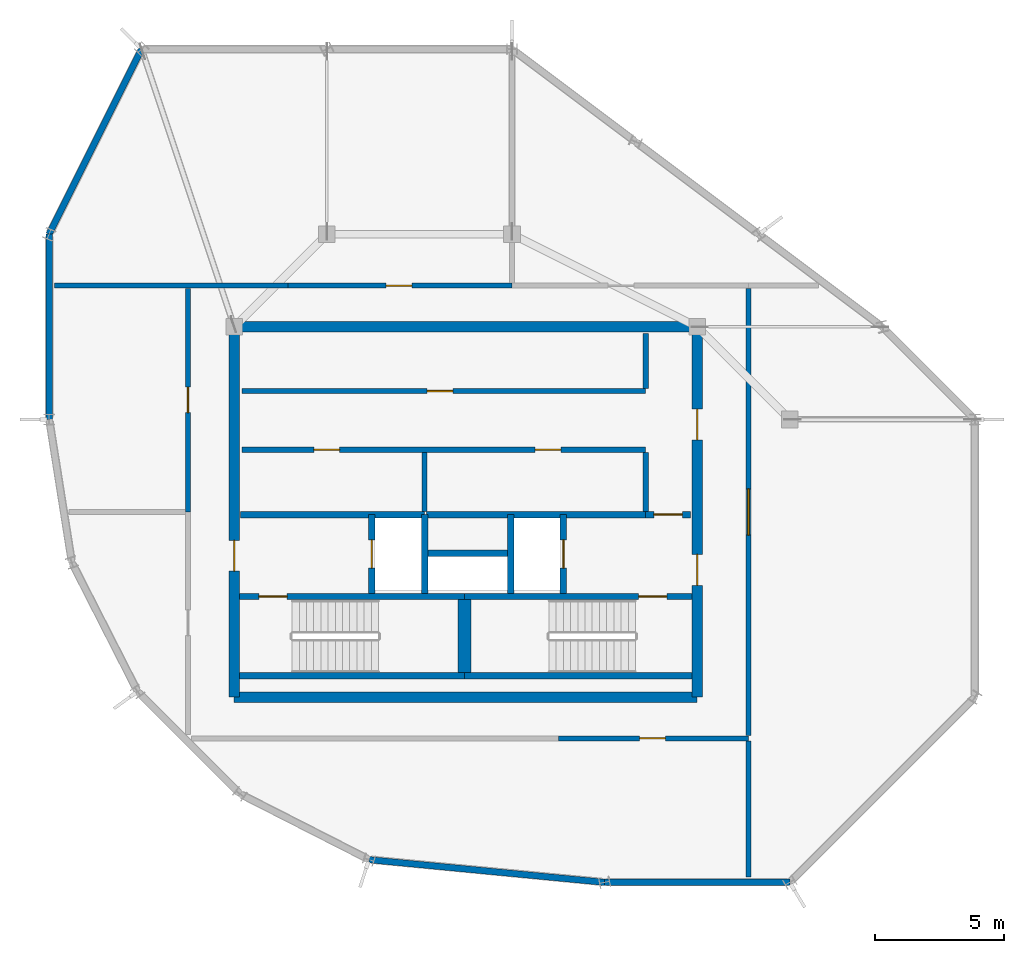
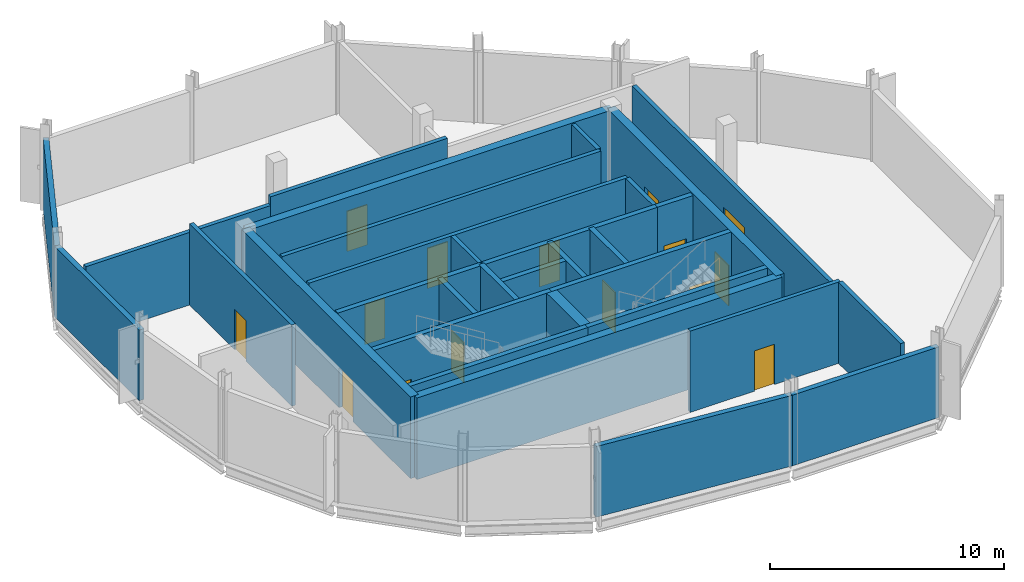
# One storey, part 2 of 5: 32 walls, 15 doors, 15 openings.
"""IFC4 building model written with IfcOpenShell, lengths in metres."""

from ifc_helpers import new_model, si_unit, direction, frame, frame_2d, origin, place, context, subcontext, project, spatial, rectangle, extrude, material, layer, layer_set, type_object, element, fill, save


model = new_model("IFC4")

# Units and contexts
model_context = context("Model", 3, precision=1e-05, world=origin(), true_north=direction((0.0, 1.0)))
body_context = subcontext(model_context, "Body", "Model", "MODEL_VIEW")
ifc_project = project(units=[si_unit("LENGTHUNIT", "METRE"), si_unit("AREAUNIT", "SQUARE_METRE"), si_unit("VOLUMEUNIT", "CUBIC_METRE"), si_unit("PLANEANGLEUNIT", "RADIAN"), si_unit("MASSUNIT", "GRAM", prefix="KILO")], contexts=[model_context])

# Site, building, storey
site_placement = place(None, origin())
site = spatial("IfcSite", under=ifc_project, at=site_placement, CompositionType="ELEMENT")
building_placement = place(site_placement, origin())
building = spatial("IfcBuilding", under=site, at=building_placement, Name="Solnavia Interchange Tower", CompositionType="ELEMENT")
storey_placement = place(building_placement, frame((0.0, 0.0, 313.199951171875)))
storey = spatial("IfcBuildingStorey", under=building, at=storey_placement, Name="C03", CompositionType="ELEMENT", Elevation=313.199951171875)

# Walls
ifc_material_1 = material(Name="Concrete C40/50", Category="concrete")
ifc_layer_1 = layer(ifc_material_1, 0.25)
ifc_layer_set_1 = layer_set([ifc_layer_1], Name="Concrete C40/50")
wall_type_1 = type_object("IfcWallType", Name="Wall-ExtSpandrel-250", PredefinedType="STANDARD", material=ifc_layer_set_1)
wall_1_placement = place(storey_placement, frame((10.800048828125, 36.0, 0.0), z_axis=(0.0, 0.0, 1.0), x_axis=(-0.447225726904, -0.894421125195, 0.0)))
element("IfcWall", 1, at=wall_1_placement, inside=storey, type_object=wall_type_1, Name="EXW-C03-R07 Crown ring facade panel", PredefinedType="STANDARD", context=body_context, shape_type="SweptSolid", body=[
    extrude(rectangle(XDim=8.0498046875, YDim=0.25, at=frame_2d((4.02490234375, 0.0))), origin(), (0.0, 0.0, 1.0), 3.679931640625),
])
wall_2_placement = place(storey_placement, frame((7.199951171875, 28.800048828125, 0.0), z_axis=(0.0, 0.0, 1.0), x_axis=(0.0, -1.0, 0.0)))
element("IfcWall", 2, at=wall_2_placement, inside=storey, type_object=wall_type_1, Name="EXW-C03-R08 Crown ring facade panel", PredefinedType="STANDARD", context=body_context, shape_type="SweptSolid", body=[
    extrude(rectangle(XDim=7.199951171875, YDim=0.25, at=frame_2d((3.60009765625, 0.0))), origin(), (0.0, 0.0, 1.0), 3.679931640625),
])
wall_3_placement = place(storey_placement, frame((19.637939453125, 4.48095703125, 0.0), z_axis=(0.0, 0.0, 1.0), x_axis=(0.995410195364, -0.095700276723, 0.0)))
element("IfcWall", 3, at=wall_3_placement, inside=storey, type_object=wall_type_1, Name="EXW-C03-R13 Crown ring facade panel", PredefinedType="STANDARD", context=body_context, shape_type="SweptSolid", body=[
    extrude(rectangle(XDim=9.204345703125, YDim=0.25, at=frame_2d((4.60205078125, 0.0))), origin(), (0.0, 0.0, 1.0), 3.679931640625),
])
wall_4_placement = place(storey_placement, frame((28.800048828125, 3.60009765625, 0.0), z_axis=(0.0, 0.0, 1.0), x_axis=(1.0, 0.0, 0.0)))
element("IfcWall", 4, at=wall_4_placement, inside=storey, type_object=wall_type_1, Name="EXW-C03-R14 Crown ring facade panel", PredefinedType="STANDARD", context=body_context, shape_type="SweptSolid", body=[
    extrude(rectangle(XDim=7.199951171875, YDim=0.25, at=frame_2d((3.60009765625, 0.0))), origin(), (0.0, 0.0, 1.0), 3.679931640625),
])

# Wall, openings, doors
ifc_layer_2 = layer(ifc_material_1, 0.199951171875)
ifc_layer_set_2 = layer_set([ifc_layer_2], Name="Concrete C40/50")
wall_type_2 = type_object("IfcWallType", Name="Wall-PlantFire-200", PredefinedType="PARTITIONING", material=ifc_layer_set_2)
wall_5_placement = place(storey_placement, frame((14.699951171875, 20.419921875, 0.0), z_axis=(0.0, 0.0, 1.0), x_axis=(1.0, 0.0, 0.0)))
wall_5 = element("IfcWall", 5, at=wall_5_placement, inside=storey, type_object=wall_type_2, Name="CSW-C03-CR1 Core shaft wall", PredefinedType="PARTITIONING", context=body_context, shape_type="SweptSolid", body=[
    extrude(rectangle(XDim=15.699951171875, YDim=0.199951171875, at=frame_2d((7.85009765625, 0.0))), origin(), (0.0, 0.0, 1.0), 4.235107421875),
])
opening_1_placement = place(wall_5_placement, frame((2.800048828125, 0.0, 0.0)))
opening_1 = element("IfcOpeningElement", 6, at=opening_1_placement, cuts=wall_5, Name="Opening DR-04", PredefinedType="OPENING", context=body_context, shape_type="SweptSolid", body=[
    extrude(rectangle(XDim=1.0, YDim=2.10009765625, at=frame_2d((0.5, 1.050048828125))), frame((0.0, 0.10986328125, 0.0), z_axis=(0.0, -1.0, 0.0), x_axis=(1.0, 0.0, 0.0)), (0.0, 0.0, 1.0), 0.219970703125),
])
opening_2_placement = place(wall_5_placement, frame((11.39990234375, 0.0, 0.0)))
opening_2 = element("IfcOpeningElement", 7, at=opening_2_placement, cuts=wall_5, Name="Opening DR-04", PredefinedType="OPENING", context=body_context, shape_type="SweptSolid", body=[
    extrude(rectangle(XDim=1.0, YDim=2.10009765625, at=frame_2d((0.5, 1.050048828125))), frame((0.0, 0.10986328125, 0.0), z_axis=(0.0, -1.0, 0.0), x_axis=(1.0, 0.0, 0.0)), (0.0, 0.0, 1.0), 0.219970703125),
])
ifc_material_2 = material(Name="Steel Fire-Rated Plant Door", Category="steel")
door_type_1 = type_object("IfcDoorType", Name="Door-PlantFire-1000x2100", OperationType="SINGLE_SWING_LEFT", PredefinedType="DOOR", material=ifc_material_2)
door_1_placement = place(opening_1_placement, origin())
door_1 = element("IfcDoor", 8, at=door_1_placement, inside=storey, type_object=door_type_1, Name="DR-C03-CR1 Core fire door", OperationType="SINGLE_SWING_LEFT", OverallHeight=2.10009765625, OverallWidth=1.0, PredefinedType="DOOR", context=body_context, shape_type="SweptSolid", body=[
    extrude(rectangle(XDim=1.0, YDim=2.10009765625, at=frame_2d((0.5, 1.050048828125))), frame((0.0, 0.02490234375, 0.0), z_axis=(0.0, -1.0, 0.0), x_axis=(1.0, 0.0, 0.0)), (0.0, 0.0, 1.0), 0.050048828125),
])
fill(opening_1, door_1)
door_2_placement = place(opening_2_placement, origin())
door_2 = element("IfcDoor", 9, at=door_2_placement, inside=storey, type_object=door_type_1, Name="DR-C03-CR2 Core fire door", OperationType="SINGLE_SWING_RIGHT", OverallHeight=2.10009765625, OverallWidth=1.0, PredefinedType="DOOR", context=body_context, shape_type="SweptSolid", body=[
    extrude(rectangle(XDim=1.0, YDim=2.10009765625, at=frame_2d((0.5, 1.050048828125))), frame((0.0, 0.02490234375, 0.0), z_axis=(0.0, -1.0, 0.0), x_axis=(1.0, 0.0, 0.0)), (0.0, 0.0, 1.0), 0.050048828125),
])
fill(opening_2, door_2)

# Walls
for number, where, z_axis, x_axis, name in (
    (10, (30.39990234375, 18.02001953125, 0.0), (0.0, 0.0, 1.0), (0.0, 1.0, 0.0), "CSW-C03-CR2 Core shaft wall"),
    (11, (21.800048828125, 18.02001953125, 0.0), (0.0, 0.0, 1.0), (0.0, 1.0, 0.0), "CSW-C03-CR3 Core shaft wall"),
):
    element("IfcWall", number, at=place(storey_placement, frame(where, z_axis=z_axis, x_axis=x_axis)), inside=storey, type_object=wall_type_2, Name=name, PredefinedType="PARTITIONING", context=body_context, shape_type="SweptSolid", body=[
        extrude(rectangle(XDim=2.300048828125, YDim=0.199951171875, at=frame_2d((1.14990234375, 0.0))), origin(), (0.0, 0.0, 1.0), 4.235107421875),
    ])

# Wall, opening, door
wall_6_placement = place(storey_placement, frame((14.699951171875, 22.699951171875, 0.0), z_axis=(0.0, 0.0, 1.0), x_axis=(1.0, 0.0, 0.0)))
wall_6 = element("IfcWall", 12, at=wall_6_placement, inside=storey, type_object=wall_type_2, Name="CSW-C03-CR4 Core shaft wall", PredefinedType="PARTITIONING", context=body_context, shape_type="SweptSolid", body=[
    extrude(rectangle(XDim=15.699951171875, YDim=0.199951171875, at=frame_2d((7.85009765625, 0.0))), origin(), (0.0, 0.0, 1.0), 4.235107421875),
])
opening_3_placement = place(wall_6_placement, frame((7.199951171875, 0.0, 0.0)))
opening_3 = element("IfcOpeningElement", 13, at=opening_3_placement, cuts=wall_6, Name="Opening DR-04", PredefinedType="OPENING", context=body_context, shape_type="SweptSolid", body=[
    extrude(rectangle(XDim=1.0, YDim=2.10009765625, at=frame_2d((0.5, 1.050048828125))), frame((0.0, 0.10986328125, 0.0), z_axis=(0.0, -1.0, 0.0), x_axis=(1.0, 0.0, 0.0)), (0.0, 0.0, 1.0), 0.219970703125),
])
door_3_placement = place(opening_3_placement, origin())
door_3 = element("IfcDoor", 14, at=door_3_placement, inside=storey, type_object=door_type_1, Name="DR-C03-CR3 Core fire door", OperationType="SINGLE_SWING_LEFT", OverallHeight=2.10009765625, OverallWidth=1.0, PredefinedType="DOOR", context=body_context, shape_type="SweptSolid", body=[
    extrude(rectangle(XDim=1.0, YDim=2.10009765625, at=frame_2d((0.5, 1.050048828125))), frame((0.0, 0.02490234375, 0.0), z_axis=(0.0, -1.0, 0.0), x_axis=(1.0, 0.0, 0.0)), (0.0, 0.0, 1.0), 0.050048828125),
])
fill(opening_3, door_3)

# Wall
wall_7_placement = place(storey_placement, frame((30.39990234375, 22.800048828125, 0.0), z_axis=(0.0, 0.0, 1.0), x_axis=(0.0, 1.0, 0.0)))
element("IfcWall", 15, at=wall_7_placement, inside=storey, type_object=wall_type_2, Name="CSW-C03-CR5 Core shaft wall", PredefinedType="PARTITIONING", context=body_context, shape_type="SweptSolid", body=[
    extrude(rectangle(XDim=2.14990234375, YDim=0.199951171875, at=frame_2d((1.074951171875, 0.0))), origin(), (0.0, 0.0, 1.0), 4.235107421875),
])

# Wall, opening, door
wall_8_placement = place(storey_placement, frame((16.5, 26.800048828125, 0.0), z_axis=(0.0, 0.0, 1.0), x_axis=(1.0, 0.0, 0.0)))
wall_8 = element("IfcWall", 16, at=wall_8_placement, inside=storey, type_object=wall_type_2, Name="PTW-C03-01 Interior partition wall", PredefinedType="PARTITIONING", context=body_context, shape_type="SweptSolid", body=[
    extrude(rectangle(XDim=8.699951171875, YDim=0.199951171875, at=frame_2d((4.35009765625, 0.0))), origin(), (0.0, 0.0, 1.0), 4.235107421875),
])
opening_4_placement = place(wall_8_placement, frame((3.81005859375, 0.0, 0.0)))
opening_4 = element("IfcOpeningElement", 17, at=opening_4_placement, cuts=wall_8, Name="Opening DR-04", PredefinedType="OPENING", context=body_context, shape_type="SweptSolid", body=[
    extrude(rectangle(XDim=1.0, YDim=2.10009765625, at=frame_2d((0.5, 1.050048828125))), frame((0.0, 0.10986328125, 0.0), z_axis=(0.0, -1.0, 0.0), x_axis=(1.0, 0.0, 0.0)), (0.0, 0.0, 1.0), 0.219970703125),
])
door_4_placement = place(opening_4_placement, origin())
door_4 = element("IfcDoor", 18, at=door_4_placement, inside=storey, type_object=door_type_1, Name="DR-C03-01 Interior room door", OperationType="SINGLE_SWING_LEFT", OverallHeight=2.10009765625, OverallWidth=1.0, PredefinedType="DOOR", context=body_context, shape_type="SweptSolid", body=[
    extrude(rectangle(XDim=1.0, YDim=2.10009765625, at=frame_2d((0.5, 1.050048828125))), frame((0.0, 0.02490234375, 0.0), z_axis=(0.0, -1.0, 0.0), x_axis=(1.0, 0.0, 0.0)), (0.0, 0.0, 1.0), 0.050048828125),
])
fill(opening_4, door_4)

# Wall
wall_9_placement = place(storey_placement, frame((7.405029296875, 26.800048828125, 0.0), z_axis=(0.0, 0.0, 1.0), x_axis=(1.0, 0.0, 0.0)))
element("IfcWall", 19, at=wall_9_placement, inside=storey, type_object=wall_type_2, Name="PTW-C03-03 Interior partition wall", PredefinedType="PARTITIONING", context=body_context, shape_type="SweptSolid", body=[
    extrude(rectangle(XDim=9.094970703125, YDim=0.199951171875, at=frame_2d((4.54736328125, 0.0))), origin(), (0.0, 0.0, 1.0), 3.780029296875),
])

# Wall, opening, door
wall_10_placement = place(storey_placement, frame((12.60009765625, 18.0, 0.0), z_axis=(0.0, 0.0, 1.0), x_axis=(0.0, 1.0, 0.0)))
wall_10 = element("IfcWall", 20, at=wall_10_placement, inside=storey, type_object=wall_type_2, Name="PTW-C03-08 Interior partition wall", PredefinedType="PARTITIONING", context=body_context, shape_type="SweptSolid", body=[
    extrude(rectangle(XDim=8.696044921875, YDim=0.199951171875, at=frame_2d((4.34814453125, 0.0))), origin(), (0.0, 0.0, 1.0), 4.235107421875),
])
opening_5_placement = place(wall_10_placement, frame((3.860107421875, 0.0, 0.0)))
opening_5 = element("IfcOpeningElement", 21, at=opening_5_placement, cuts=wall_10, Name="Opening DR-04", PredefinedType="OPENING", context=body_context, shape_type="SweptSolid", body=[
    extrude(rectangle(XDim=1.0, YDim=2.10009765625, at=frame_2d((0.5, 1.050048828125))), frame((0.0, 0.10986328125, 0.0), z_axis=(0.0, -1.0, 0.0), x_axis=(1.0, 0.0, 0.0)), (0.0, 0.0, 1.0), 0.219970703125),
])
door_5_placement = place(opening_5_placement, origin())
door_5 = element("IfcDoor", 22, at=door_5_placement, inside=storey, type_object=door_type_1, Name="DR-C03-04 Interior room door", OperationType="SINGLE_SWING_RIGHT", OverallHeight=2.10009765625, OverallWidth=1.0, PredefinedType="DOOR", context=body_context, shape_type="SweptSolid", body=[
    extrude(rectangle(XDim=1.0, YDim=2.10009765625, at=frame_2d((0.5, 1.050048828125))), frame((0.0, 0.02490234375, 0.0), z_axis=(0.0, -1.0, 0.0), x_axis=(1.0, 0.0, 0.0)), (0.0, 0.0, 1.0), 0.050048828125),
])
fill(opening_5, door_5)

wall_11_placement = place(storey_placement, frame((27.0, 9.199951171875, 0.0), z_axis=(0.0, 0.0, 1.0), x_axis=(1.0, 0.0, 0.0)))
wall_11 = element("IfcWall", 23, at=wall_11_placement, inside=storey, type_object=wall_type_2, Name="PTW-C03-10 Interior partition wall", PredefinedType="PARTITIONING", context=body_context, shape_type="SweptSolid", body=[
    extrude(rectangle(XDim=7.39990234375, YDim=0.199951171875, at=frame_2d((3.699951171875, 0.0))), origin(), (0.0, 0.0, 1.0), 4.235107421875),
])
opening_6_placement = place(wall_11_placement, frame((3.159912109375, 0.0, 0.0)))
opening_6 = element("IfcOpeningElement", 24, at=opening_6_placement, cuts=wall_11, Name="Opening DR-04", PredefinedType="OPENING", context=body_context, shape_type="SweptSolid", body=[
    extrude(rectangle(XDim=1.0, YDim=2.10009765625, at=frame_2d((0.5, 1.050048828125))), frame((0.0, 0.10986328125, 0.0), z_axis=(0.0, -1.0, 0.0), x_axis=(1.0, 0.0, 0.0)), (0.0, 0.0, 1.0), 0.219970703125),
])
door_6_placement = place(opening_6_placement, origin())
door_6 = element("IfcDoor", 25, at=door_6_placement, inside=storey, type_object=door_type_1, Name="DR-C03-05 Interior room door", OperationType="SINGLE_SWING_RIGHT", OverallHeight=2.10009765625, OverallWidth=1.0, PredefinedType="DOOR", context=body_context, shape_type="SweptSolid", body=[
    extrude(rectangle(XDim=1.0, YDim=2.10009765625, at=frame_2d((0.5, 1.050048828125))), frame((0.0, 0.02490234375, 0.0), z_axis=(0.0, -1.0, 0.0), x_axis=(1.0, 0.0, 0.0)), (0.0, 0.0, 1.0), 0.050048828125),
])
fill(opening_6, door_6)

# Wall
wall_12_placement = place(storey_placement, frame((34.39990234375, 3.804931640625, 0.0), z_axis=(0.0, 0.0, 1.0), x_axis=(0.0, 1.0, 0.0)))
element("IfcWall", 26, at=wall_12_placement, inside=storey, type_object=wall_type_2, Name="PTW-C03-11 Interior partition wall", PredefinedType="PARTITIONING", context=body_context, shape_type="SweptSolid", body=[
    extrude(rectangle(XDim=5.291015625, YDim=0.199951171875, at=frame_2d((2.6455078125, 0.0))), origin(), (0.0, 0.0, 1.0), 4.235107421875),
])

# Wall, opening, door
wall_13_placement = place(storey_placement, frame((34.39990234375, 9.303955078125, 0.0), z_axis=(0.0, 0.0, 1.0), x_axis=(0.0, 1.0, 0.0)))
wall_13 = element("IfcWall", 27, at=wall_13_placement, inside=storey, type_object=wall_type_2, Name="PTW-C03-12 Interior partition wall", PredefinedType="PARTITIONING", context=body_context, shape_type="SweptSolid", body=[
    extrude(rectangle(XDim=17.39208984375, YDim=0.199951171875, at=frame_2d((8.696044921875, 0.0))), origin(), (0.0, 0.0, 1.0), 3.780029296875),
])
opening_7_placement = place(wall_13_placement, frame((7.7958984375, 0.0, 0.0)))
opening_7 = element("IfcOpeningElement", 28, at=opening_7_placement, cuts=wall_13, Name="Opening DR-05", PredefinedType="OPENING", context=body_context, shape_type="SweptSolid", body=[
    extrude(rectangle(XDim=1.800048828125, YDim=2.199951171875, at=frame_2d((0.89990234375, 1.10009765625))), frame((0.0, 0.10986328125, 0.0), z_axis=(0.0, -1.0, 0.0), x_axis=(1.0, 0.0, 0.0)), (0.0, 0.0, 1.0), 0.219970703125),
])
ifc_material_3 = material(Name="Steel Double Fire Door", Category="steel")
door_type_2 = type_object("IfcDoorType", Name="Door-PlantDouble-1800x2200", OperationType="DOUBLE_DOOR_SINGLE_SWING", PredefinedType="DOOR", material=ifc_material_3)
door_7_placement = place(opening_7_placement, origin())
door_7 = element("IfcDoor", 29, at=door_7_placement, inside=storey, type_object=door_type_2, Name="DR-C03-06 Interior room door", OperationType="DOUBLE_DOOR_SINGLE_SWING", OverallHeight=2.199951171875, OverallWidth=1.800048828125, PredefinedType="DOOR", context=body_context, shape_type="SweptSolid", body=[
    extrude(rectangle(XDim=1.800048828125, YDim=2.199951171875, at=frame_2d((0.89990234375, 1.10009765625))), frame((0.0, 0.02490234375, 0.0), z_axis=(0.0, -1.0, 0.0), x_axis=(1.0, 0.0, 0.0)), (0.0, 0.0, 1.0), 0.050048828125),
])
fill(opening_7, door_7)

# Wall
ifc_layer_3 = layer(ifc_material_1, 0.25)
ifc_layer_set_3 = layer_set([ifc_layer_3], Name="Concrete C40/50")
wall_type_3 = type_object("IfcWallType", Name="Wall-ShaftCore-250", PredefinedType="SHEAR", material=ifc_layer_set_3)
wall_14_placement = place(storey_placement, frame((14.60009765625, 11.625, 0.0), z_axis=(0.0, 0.0, 1.0), x_axis=(1.0, 0.0, 0.0)))
element("IfcWall", 30, at=wall_14_placement, inside=storey, type_object=wall_type_3, Name="SHW-C03-ST1S Core shear wall", PredefinedType="SHEAR", context=body_context, shape_type="SweptSolid", body=[
    extrude(rectangle(XDim=8.75, YDim=0.25, at=frame_2d((4.375, 0.0))), origin(), (0.0, 0.0, 1.0), 4.25),
])

# Wall, opening, door
wall_15_placement = place(storey_placement, frame((14.60009765625, 14.715087890625, 0.0), z_axis=(0.0, 0.0, 1.0), x_axis=(1.0, 0.0, 0.0)))
wall_15 = element("IfcWall", 31, at=wall_15_placement, inside=storey, type_object=wall_type_3, Name="SHW-C03-ST1N Core shear wall", PredefinedType="SHEAR", context=body_context, shape_type="SweptSolid", body=[
    extrude(rectangle(XDim=8.75, YDim=0.25, at=frame_2d((4.375, 0.0))), origin(), (0.0, 0.0, 1.0), 4.25),
])
opening_8_placement = place(wall_15_placement, frame((0.7548828125, 0.0, 0.0)))
opening_8 = element("IfcOpeningElement", 32, at=opening_8_placement, cuts=wall_15, Name="Opening DR-01", PredefinedType="OPENING", context=body_context, shape_type="SweptSolid", body=[
    extrude(rectangle(XDim=1.10009765625, YDim=2.10009765625, at=frame_2d((0.550048828125, 1.050048828125))), frame((0.0, 0.135009765625, 0.0), z_axis=(0.0, -1.0, 0.0), x_axis=(1.0, 0.0, 0.0)), (0.0, 0.0, 1.0), 0.27001953125),
])
ifc_material_4 = material(Name="Steel Fire-Rated Leaf & Frame", Category="steel")
door_type_3 = type_object("IfcDoorType", Name="Door-StairFire-1100x2100", OperationType="SINGLE_SWING_LEFT", PredefinedType="DOOR", material=ifc_material_4)
door_8_placement = place(opening_8_placement, origin())
door_8 = element("IfcDoor", 33, at=door_8_placement, inside=storey, type_object=door_type_3, Name="DR-C03-ST1 Core fire door", OperationType="SINGLE_SWING_LEFT", OverallHeight=2.10009765625, OverallWidth=1.10009765625, PredefinedType="DOOR", context=body_context, shape_type="SweptSolid", body=[
    extrude(rectangle(XDim=1.10009765625, YDim=2.10009765625, at=frame_2d((0.550048828125, 1.050048828125))), frame((0.0, 0.02490234375, 0.0), z_axis=(0.0, -1.0, 0.0), x_axis=(1.0, 0.0, 0.0)), (0.0, 0.0, 1.0), 0.050048828125),
])
fill(opening_8, door_8)

# Wall
wall_16_placement = place(storey_placement, frame((23.35009765625, 11.625, 0.0), z_axis=(0.0, 0.0, 1.0), x_axis=(1.0, 0.0, 0.0)))
element("IfcWall", 34, at=wall_16_placement, inside=storey, type_object=wall_type_3, Name="SHW-C03-ST2S Core shear wall", PredefinedType="SHEAR", context=body_context, shape_type="SweptSolid", body=[
    extrude(rectangle(XDim=8.849853515625, YDim=0.25, at=frame_2d((4.4248046875, 0.0))), origin(), (0.0, 0.0, 1.0), 4.25),
])

# Wall, opening, door
wall_17_placement = place(storey_placement, frame((23.35009765625, 14.715087890625, 0.0), z_axis=(0.0, 0.0, 1.0), x_axis=(1.0, 0.0, 0.0)))
wall_17 = element("IfcWall", 35, at=wall_17_placement, inside=storey, type_object=wall_type_3, Name="SHW-C03-ST2N Core shear wall", PredefinedType="SHEAR", context=body_context, shape_type="SweptSolid", body=[
    extrude(rectangle(XDim=8.849853515625, YDim=0.25, at=frame_2d((4.4248046875, 0.0))), origin(), (0.0, 0.0, 1.0), 4.25),
])
opening_9_placement = place(wall_17_placement, frame((6.77490234375, 0.0, 0.0)))
opening_9 = element("IfcOpeningElement", 36, at=opening_9_placement, cuts=wall_17, Name="Opening DR-01", PredefinedType="OPENING", context=body_context, shape_type="SweptSolid", body=[
    extrude(rectangle(XDim=1.10009765625, YDim=2.10009765625, at=frame_2d((0.550048828125, 1.050048828125))), frame((0.0, 0.135009765625, 0.0), z_axis=(0.0, -1.0, 0.0), x_axis=(1.0, 0.0, 0.0)), (0.0, 0.0, 1.0), 0.27001953125),
])
door_9_placement = place(opening_9_placement, origin())
door_9 = element("IfcDoor", 37, at=door_9_placement, inside=storey, type_object=door_type_3, Name="DR-C03-ST2 Core fire door", OperationType="SINGLE_SWING_LEFT", OverallHeight=2.10009765625, OverallWidth=1.10009765625, PredefinedType="DOOR", context=body_context, shape_type="SweptSolid", body=[
    extrude(rectangle(XDim=1.10009765625, YDim=2.10009765625, at=frame_2d((0.550048828125, 1.050048828125))), frame((0.0, 0.02490234375, 0.0), z_axis=(0.0, -1.0, 0.0), x_axis=(1.0, 0.0, 0.0)), (0.0, 0.0, 1.0), 0.050048828125),
])
fill(opening_9, door_9)

# Wall
ifc_layer_4 = layer(ifc_material_1, 0.25)
ifc_layer_set_4 = layer_set([ifc_layer_4], Name="Concrete C40/50")
wall_type_4 = type_object("IfcWallType", Name="Wall-ShaftPart-250", PredefinedType="PARTITIONING", material=ifc_layer_set_4)
wall_18_placement = place(storey_placement, frame((14.64990234375, 17.89990234375, 0.0), z_axis=(0.0, 0.0, 1.0), x_axis=(1.0, 0.0, 0.0)))
element("IfcWall", 38, at=wall_18_placement, inside=storey, type_object=wall_type_4, Name="SHW-C03-FFLW-N Core shaft wall", PredefinedType="PARTITIONING", context=body_context, shape_type="SweptSolid", body=[
    extrude(rectangle(XDim=7.150146484375, YDim=0.25, at=frame_2d((3.5751953125, 0.0))), origin(), (0.0, 0.0, 1.0), 4.235107421875),
])

# Wall, opening, door
wall_19_placement = place(storey_placement, frame((19.75, 14.840087890625, 0.0), z_axis=(0.0, 0.0, 1.0), x_axis=(0.0, 1.0, 0.0)))
wall_19 = element("IfcWall", 39, at=wall_19_placement, inside=storey, type_object=wall_type_4, Name="SHW-C03-FFL1-W Core shaft wall", PredefinedType="PARTITIONING", context=body_context, shape_type="SweptSolid", body=[
    extrude(rectangle(XDim=3.059814453125, YDim=0.25, at=frame_2d((1.52978515625, 0.0))), origin(), (0.0, 0.0, 1.0), 4.235107421875),
])
opening_10_placement = place(wall_19_placement, frame((0.97998046875, 0.0, 0.0)))
opening_10 = element("IfcOpeningElement", 40, at=opening_10_placement, cuts=wall_19, Name="Opening LD-01", PredefinedType="OPENING", context=body_context, shape_type="SweptSolid", body=[
    extrude(rectangle(XDim=1.10009765625, YDim=2.10009765625, at=frame_2d((0.550048828125, 1.050048828125))), frame((0.0, 0.135009765625, 0.0), z_axis=(0.0, -1.0, 0.0), x_axis=(1.0, 0.0, 0.0)), (0.0, 0.0, 1.0), 0.27001953125),
])
ifc_material_5 = material(Name="Brushed Stainless Steel Sliding Door", Category="steel")
door_type_4 = type_object("IfcDoorType", Name="Door-LiftLanding-1100x2100", OperationType="SLIDING_TO_LEFT", PredefinedType="DOOR", material=ifc_material_5)
door_10_placement = place(opening_10_placement, origin())
door_10 = element("IfcDoor", 41, at=door_10_placement, inside=storey, type_object=door_type_4, Name="LD-C03-FFL1 Lift landing sliding door", OperationType="SLIDING_TO_LEFT", OverallHeight=2.10009765625, OverallWidth=1.10009765625, PredefinedType="DOOR", context=body_context, shape_type="SweptSolid", body=[
    extrude(rectangle(XDim=1.10009765625, YDim=2.10009765625, at=frame_2d((0.550048828125, 1.050048828125))), frame((0.0, 0.02490234375, 0.0), z_axis=(0.0, -1.0, 0.0), x_axis=(1.0, 0.0, 0.0)), (0.0, 0.0, 1.0), 0.050048828125),
])
fill(opening_10, door_10)

# Walls
wall_20_placement = place(storey_placement, frame((21.800048828125, 14.840087890625, 0.0), z_axis=(0.0, 0.0, 1.0), x_axis=(0.0, 1.0, 0.0)))
element("IfcWall", 42, at=wall_20_placement, inside=storey, type_object=wall_type_4, Name="SHW-C03-FFL1-E Core shaft wall", PredefinedType="PARTITIONING", context=body_context, shape_type="SweptSolid", body=[
    extrude(rectangle(XDim=3.059814453125, YDim=0.25, at=frame_2d((1.52978515625, 0.0))), origin(), (0.0, 0.0, 1.0), 4.235107421875),
])
wall_21_placement = place(storey_placement, frame((21.8798828125, 17.89990234375, 0.0), z_axis=(0.0, 0.0, 1.0), x_axis=(1.0, 0.0, 0.0)))
element("IfcWall", 43, at=wall_21_placement, inside=storey, type_object=wall_type_4, Name="SHW-C03-FFLE-N1 Core shaft wall", PredefinedType="PARTITIONING", context=body_context, shape_type="SweptSolid", body=[
    extrude(rectangle(XDim=8.52001953125, YDim=0.25, at=frame_2d((4.260009765625, 0.0))), origin(), (0.0, 0.0, 1.0), 4.235107421875),
])

# Wall, opening, door
wall_22_placement = place(storey_placement, frame((30.39990234375, 17.89990234375, 0.0), z_axis=(0.0, 0.0, 1.0), x_axis=(1.0, 0.0, 0.0)))
wall_22 = element("IfcWall", 44, at=wall_22_placement, inside=storey, type_object=wall_type_4, Name="SHW-C03-FFLE-N2 Core shaft wall", PredefinedType="PARTITIONING", context=body_context, shape_type="SweptSolid", body=[
    extrude(rectangle(XDim=1.75, YDim=0.25, at=frame_2d((0.875, 0.0))), origin(), (0.0, 0.0, 1.0), 4.235107421875),
])
opening_11_placement = place(wall_22_placement, frame((0.320068359375, 0.0, 0.0)))
opening_11 = element("IfcOpeningElement", 45, at=opening_11_placement, cuts=wall_22, Name="Opening DR-01", PredefinedType="OPENING", context=body_context, shape_type="SweptSolid", body=[
    extrude(rectangle(XDim=1.10009765625, YDim=2.10009765625, at=frame_2d((0.550048828125, 1.050048828125))), frame((0.0, 0.135009765625, 0.0), z_axis=(0.0, -1.0, 0.0), x_axis=(1.0, 0.0, 0.0)), (0.0, 0.0, 1.0), 0.27001953125),
])
door_11_placement = place(opening_11_placement, origin())
door_11 = element("IfcDoor", 46, at=door_11_placement, inside=storey, type_object=door_type_3, Name="DR-C03-LLC Core fire door", OperationType="SINGLE_SWING_LEFT", OverallHeight=2.10009765625, OverallWidth=1.10009765625, PredefinedType="DOOR", context=body_context, shape_type="SweptSolid", body=[
    extrude(rectangle(XDim=1.10009765625, YDim=2.10009765625, at=frame_2d((0.550048828125, 1.050048828125))), frame((0.0, 0.02490234375, 0.0), z_axis=(0.0, -1.0, 0.0), x_axis=(1.0, 0.0, 0.0)), (0.0, 0.0, 1.0), 0.050048828125),
])
fill(opening_11, door_11)

# Wall
wall_23_placement = place(storey_placement, frame((25.14990234375, 14.840087890625, 0.0), z_axis=(0.0, 0.0, 1.0), x_axis=(0.0, 1.0, 0.0)))
element("IfcWall", 47, at=wall_23_placement, inside=storey, type_object=wall_type_4, Name="SHW-C03-FFL2-W Core shaft wall", PredefinedType="PARTITIONING", context=body_context, shape_type="SweptSolid", body=[
    extrude(rectangle(XDim=3.059814453125, YDim=0.25, at=frame_2d((1.52978515625, 0.0))), origin(), (0.0, 0.0, 1.0), 4.235107421875),
])

# Wall, opening, door
wall_24_placement = place(storey_placement, frame((27.199951171875, 14.840087890625, 0.0), z_axis=(0.0, 0.0, 1.0), x_axis=(0.0, 1.0, 0.0)))
wall_24 = element("IfcWall", 48, at=wall_24_placement, inside=storey, type_object=wall_type_4, Name="SHW-C03-FFL2-E Core shaft wall", PredefinedType="PARTITIONING", context=body_context, shape_type="SweptSolid", body=[
    extrude(rectangle(XDim=3.059814453125, YDim=0.25, at=frame_2d((1.52978515625, 0.0))), origin(), (0.0, 0.0, 1.0), 4.235107421875),
])
opening_12_placement = place(wall_24_placement, frame((0.97998046875, 0.0, 0.0)))
opening_12 = element("IfcOpeningElement", 49, at=opening_12_placement, cuts=wall_24, Name="Opening LD-01", PredefinedType="OPENING", context=body_context, shape_type="SweptSolid", body=[
    extrude(rectangle(XDim=1.10009765625, YDim=2.10009765625, at=frame_2d((0.550048828125, 1.050048828125))), frame((0.0, 0.135009765625, 0.0), z_axis=(0.0, -1.0, 0.0), x_axis=(1.0, 0.0, 0.0)), (0.0, 0.0, 1.0), 0.27001953125),
])
door_12_placement = place(opening_12_placement, origin())
door_12 = element("IfcDoor", 50, at=door_12_placement, inside=storey, type_object=door_type_4, Name="LD-C03-FFL2 Lift landing sliding door", OperationType="SLIDING_TO_LEFT", OverallHeight=2.10009765625, OverallWidth=1.10009765625, PredefinedType="DOOR", context=body_context, shape_type="SweptSolid", body=[
    extrude(rectangle(XDim=1.10009765625, YDim=2.10009765625, at=frame_2d((0.550048828125, 1.050048828125))), frame((0.0, 0.02490234375, 0.0), z_axis=(0.0, -1.0, 0.0), x_axis=(1.0, 0.0, 0.0)), (0.0, 0.0, 1.0), 0.050048828125),
])
fill(opening_12, door_12)

# Walls
wall_25_placement = place(storey_placement, frame((21.800048828125, 16.39990234375, 0.0), z_axis=(0.0, 0.0, 1.0), x_axis=(1.0, 0.0, 0.0)))
element("IfcWall", 51, at=wall_25_placement, inside=storey, type_object=wall_type_4, Name="SHW-C03-MEP-N Core shaft wall", PredefinedType="PARTITIONING", context=body_context, shape_type="SweptSolid", body=[
    extrude(rectangle(XDim=3.349853515625, YDim=0.25, at=frame_2d((1.6748046875, 0.0))), origin(), (0.0, 0.0, 1.0), 4.235107421875),
])
ifc_material_6 = material(Name="Concrete C50/60", Category="concrete")
ifc_layer_5 = layer(ifc_material_6, 0.39990234375)
ifc_layer_set_5 = layer_set([ifc_layer_5], Name="Concrete C50/60")
wall_type_5 = type_object("IfcWallType", Name="Wall-ShearCore-400", PredefinedType="SHEAR", material=ifc_layer_set_5)
for number, where, z_axis, x_axis, name in (
    (52, (14.39990234375, 10.800048828125, 0.0), (0.0, 0.0, 1.0), (1.0, 0.0, 0.0), "CRW-C03-S Core shear wall"),
    (53, (14.39990234375, 25.199951171875, 0.0), (0.0, 0.0, 1.0), (1.0, 0.0, 0.0), "CRW-C03-N Core shear wall"),
):
    element("IfcWall", number, at=place(storey_placement, frame(where, z_axis=z_axis, x_axis=x_axis)), inside=storey, type_object=wall_type_5, Name=name, PredefinedType="SHEAR", context=body_context, shape_type="SweptSolid", body=[
        extrude(rectangle(XDim=18.0, YDim=0.39990234375, at=frame_2d((9.0, 0.0))), origin(), (0.0, 0.0, 1.0), 4.25),
    ])

# Wall, opening, door
wall_26_placement = place(storey_placement, frame((14.39990234375, 10.800048828125, 0.0), z_axis=(0.0, 0.0, 1.0), x_axis=(0.0, 1.0, 0.0)))
wall_26 = element("IfcWall", 54, at=wall_26_placement, inside=storey, type_object=wall_type_5, Name="CRW-C03-W Core shear wall", PredefinedType="SHEAR", context=body_context, shape_type="SweptSolid", body=[
    extrude(rectangle(XDim=14.39990234375, YDim=0.39990234375, at=frame_2d((7.199951171875, 0.0))), origin(), (0.0, 0.0, 1.0), 4.25),
])
opening_13_placement = place(wall_26_placement, frame((4.89990234375, 0.0, 0.0)))
opening_13 = element("IfcOpeningElement", 55, at=opening_13_placement, cuts=wall_26, Name="Opening DR-02", PredefinedType="OPENING", context=body_context, shape_type="SweptSolid", body=[
    extrude(rectangle(XDim=1.199951171875, YDim=2.10009765625, at=frame_2d((0.60009765625, 1.050048828125))), frame((0.0, 0.2099609375, 0.0), z_axis=(0.0, -1.0, 0.0), x_axis=(1.0, 0.0, 0.0)), (0.0, 0.0, 1.0), 0.419921875),
])
ifc_material_7 = material(Name="Steel Fire-Rated Vision-Panel Door", Category="steel")
door_type_5 = type_object("IfcDoorType", Name="Door-LobbyFire-1200x2100", OperationType="SINGLE_SWING_RIGHT", PredefinedType="DOOR", material=ifc_material_7)
door_13_placement = place(opening_13_placement, origin())
door_13 = element("IfcDoor", 56, at=door_13_placement, inside=storey, type_object=door_type_5, Name="DR-C03-FFL1W Core fire door", OperationType="SINGLE_SWING_RIGHT", OverallHeight=2.10009765625, OverallWidth=1.199951171875, PredefinedType="DOOR", context=body_context, shape_type="SweptSolid", body=[
    extrude(rectangle(XDim=1.199951171875, YDim=2.10009765625, at=frame_2d((0.60009765625, 1.050048828125))), frame((0.0, 0.02490234375, 0.0), z_axis=(0.0, -1.0, 0.0), x_axis=(1.0, 0.0, 0.0)), (0.0, 0.0, 1.0), 0.050048828125),
])
fill(opening_13, door_13)

# Wall, openings, doors
wall_27_placement = place(storey_placement, frame((32.39990234375, 10.800048828125, 0.0), z_axis=(0.0, 0.0, 1.0), x_axis=(0.0, 1.0, 0.0)))
wall_27 = element("IfcWall", 57, at=wall_27_placement, inside=storey, type_object=wall_type_5, Name="CRW-C03-E Core shear wall", PredefinedType="SHEAR", context=body_context, shape_type="SweptSolid", body=[
    extrude(rectangle(XDim=14.39990234375, YDim=0.39990234375, at=frame_2d((7.199951171875, 0.0))), origin(), (0.0, 0.0, 1.0), 4.25),
])
opening_14_placement = place(wall_27_placement, frame((4.35009765625, 0.0, 0.0)))
opening_14 = element("IfcOpeningElement", 58, at=opening_14_placement, cuts=wall_27, Name="Opening DR-02", PredefinedType="OPENING", context=body_context, shape_type="SweptSolid", body=[
    extrude(rectangle(XDim=1.199951171875, YDim=2.10009765625, at=frame_2d((0.60009765625, 1.050048828125))), frame((0.0, 0.2099609375, 0.0), z_axis=(0.0, -1.0, 0.0), x_axis=(1.0, 0.0, 0.0)), (0.0, 0.0, 1.0), 0.419921875),
])
opening_15_placement = place(wall_27_placement, frame((10.0, 0.0, 0.0)))
opening_15 = element("IfcOpeningElement", 59, at=opening_15_placement, cuts=wall_27, Name="Opening DR-02", PredefinedType="OPENING", context=body_context, shape_type="SweptSolid", body=[
    extrude(rectangle(XDim=1.199951171875, YDim=2.10009765625, at=frame_2d((0.60009765625, 1.050048828125))), frame((0.0, 0.2099609375, 0.0), z_axis=(0.0, -1.0, 0.0), x_axis=(1.0, 0.0, 0.0)), (0.0, 0.0, 1.0), 0.419921875),
])
door_14_placement = place(opening_14_placement, origin())
door_14 = element("IfcDoor", 60, at=door_14_placement, inside=storey, type_object=door_type_5, Name="DR-C03-FFL2E Core fire door", OperationType="SINGLE_SWING_LEFT", OverallHeight=2.10009765625, OverallWidth=1.199951171875, PredefinedType="DOOR", context=body_context, shape_type="SweptSolid", body=[
    extrude(rectangle(XDim=1.199951171875, YDim=2.10009765625, at=frame_2d((0.60009765625, 1.050048828125))), frame((0.0, 0.02490234375, 0.0), z_axis=(0.0, -1.0, 0.0), x_axis=(1.0, 0.0, 0.0)), (0.0, 0.0, 1.0), 0.050048828125),
])
fill(opening_14, door_14)
door_15_placement = place(opening_15_placement, origin())
door_15 = element("IfcDoor", 61, at=door_15_placement, inside=storey, type_object=door_type_5, Name="DR-C03-LLE Core fire door", OperationType="SINGLE_SWING_RIGHT", OverallHeight=2.10009765625, OverallWidth=1.199951171875, PredefinedType="DOOR", context=body_context, shape_type="SweptSolid", body=[
    extrude(rectangle(XDim=1.199951171875, YDim=2.10009765625, at=frame_2d((0.60009765625, 1.050048828125))), frame((0.0, 0.02490234375, 0.0), z_axis=(0.0, -1.0, 0.0), x_axis=(1.0, 0.0, 0.0)), (0.0, 0.0, 1.0), 0.050048828125),
])
fill(opening_15, door_15)

# Wall
ifc_material_8 = material(Name="Concrete C60/75", Category="concrete")
ifc_layer_6 = layer(ifc_material_8, 0.5)
ifc_layer_set_6 = layer_set([ifc_layer_6], Name="Concrete C60/75")
wall_type_6 = type_object("IfcWallType", Name="Wall-ShearCore-500", PredefinedType="SHEAR", material=ifc_layer_set_6)
wall_28_placement = place(storey_placement, frame((23.35009765625, 11.75, 0.0), z_axis=(0.0, 0.0, 1.0), x_axis=(0.0, 1.0, 0.0)))
element("IfcWall", 62, at=wall_28_placement, inside=storey, type_object=wall_type_6, Name="SHW-C03-ST12M Core shear wall", PredefinedType="SHEAR", context=body_context, shape_type="SweptSolid", body=[
    extrude(rectangle(XDim=2.840087890625, YDim=0.5, at=frame_2d((1.419921875, 0.0))), origin(), (0.0, 0.0, 1.0), 4.25),
])

save(model, "model.ifc")
